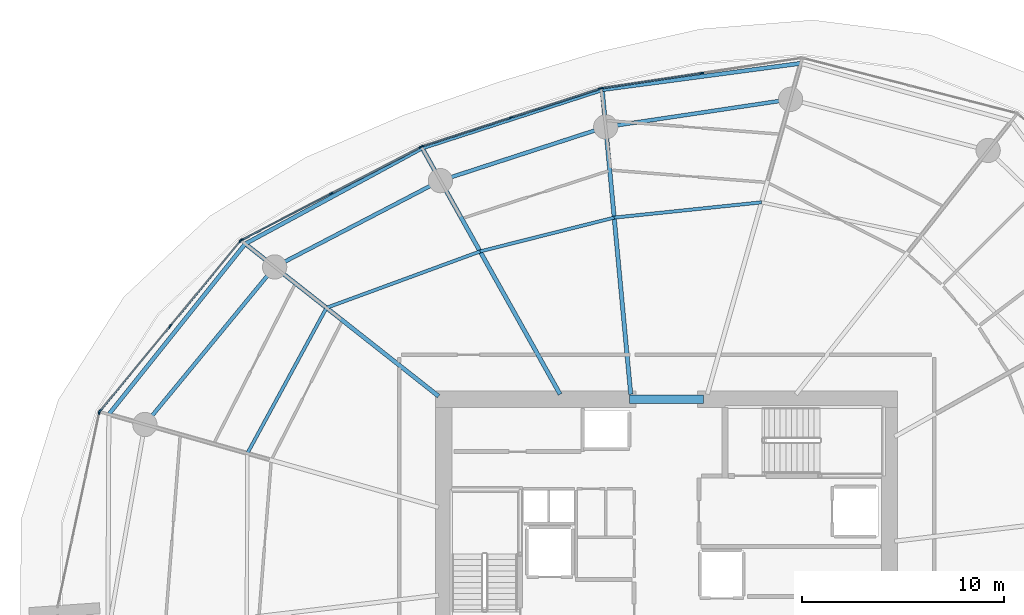
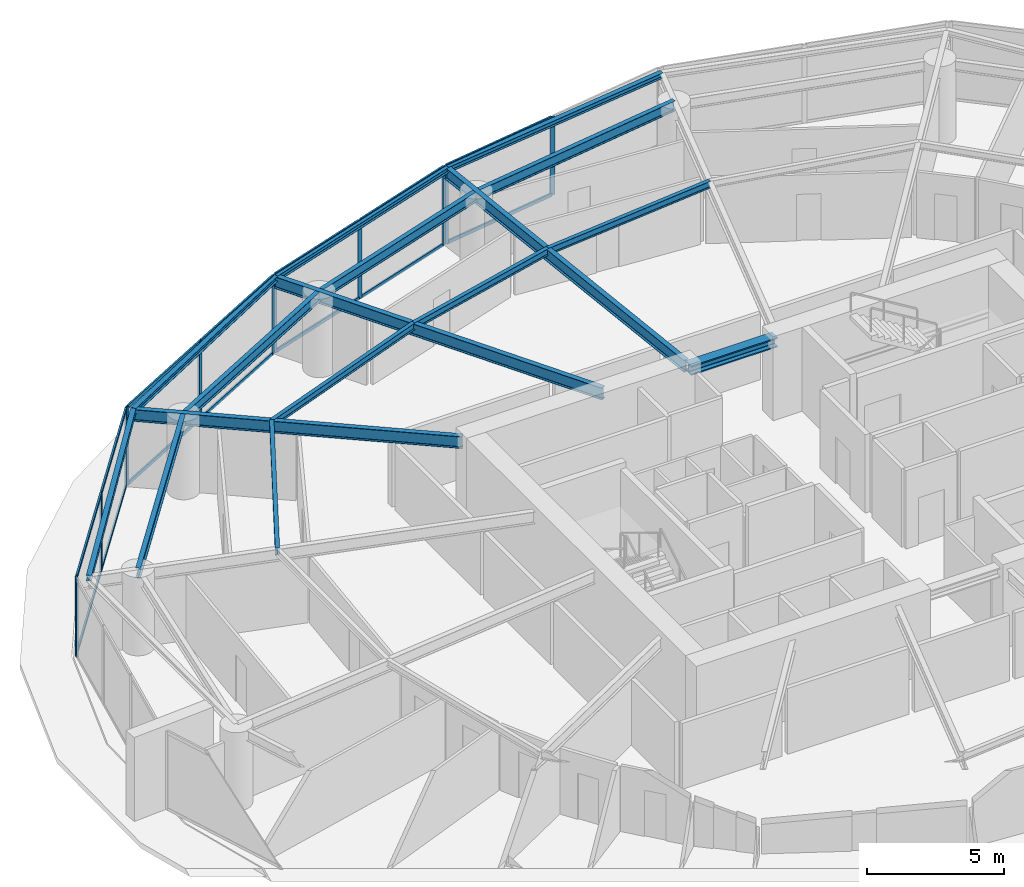
# One storey, part 9 of 17: 26 members, 16 beams, 5 elements without a shape of their own.
"""IFC4 building model written with IfcOpenShell, lengths in metres."""

from ifc_helpers import new_model, si_unit, direction, frame, origin, origin_2d, place, context, subcontext, project, spatial, rectangle, i_section, extrude, material, layer, layer_set, material_profile, profile_set, type_object, element, aggregate, save


model = new_model("IFC4")

# Units and contexts
model_context = context("Model", 3, precision=1e-05, world=origin(), true_north=direction((0.0, 1.0)))
body_context = subcontext(model_context, "Body", "Model", "MODEL_VIEW")
ifc_project = project(units=[si_unit("LENGTHUNIT", "METRE"), si_unit("AREAUNIT", "SQUARE_METRE"), si_unit("VOLUMEUNIT", "CUBIC_METRE"), si_unit("PLANEANGLEUNIT", "RADIAN"), si_unit("MASSUNIT", "GRAM", prefix="KILO")], contexts=[model_context])

# Site, building, storey
site_placement = place(None, origin())
site = spatial("IfcSite", under=ifc_project, at=site_placement, CompositionType="ELEMENT")
building_placement = place(site_placement, origin())
building = spatial("IfcBuilding", under=site, at=building_placement, Name="Kazma Halo Residences", CompositionType="ELEMENT")
storey_placement = place(building_placement, frame((0.0, 0.0, 75.14990234375)))
storey = spatial("IfcBuildingStorey", under=building, at=storey_placement, Name="L18", CompositionType="ELEMENT", Elevation=75.14990234375)

# Beams
ifc_material_1 = material(Name="Steel S355", Category="steel")
ifc_material_profile_1 = material_profile(ifc_material_1, i_section(OverallWidth=0.201904296875, OverallDepth=0.2470703125, WebThickness=0.00732421875, FlangeThickness=0.010986328125, FilletRadius=0.011962890625, at=origin_2d()), Name="W250x49.1")
ifc_profile_set_1 = profile_set([ifc_material_profile_1], Name="Steel S355")
beam_type_1 = type_object("IfcBeamType", Name="BM-BAL-CANT", PredefinedType="BEAM", material=ifc_profile_set_1)
beam_1_placement = place(storey_placement, frame((55.054931640625, 67.0146484375, 3.376708984375), z_axis=(-0.991294955884, -0.131659828494, 0.0), x_axis=(0.131659828494, -0.991294955884, 0.0)))
element("IfcBeam", 1, at=beam_1_placement, inside=storey, type_object=beam_type_1, Name="L18 wave-balcony tie beam 03", PredefinedType="BEAM", context=body_context, shape_type="SweptSolid", body=[
    extrude(i_section(OverallWidth=0.201904296875, OverallDepth=0.2470703125, WebThickness=0.00732421875, FlangeThickness=0.010986328125, FilletRadius=0.011962890625, at=origin_2d()), origin(), (0.0, 0.0, 1.0), 9.902099609375),
])
beam_2_placement = place(storey_placement, frame((45.239013671875, 65.7109375, 3.376708984375), z_axis=(-0.951364037255, -0.308068934846, 0.0), x_axis=(0.308068934846, -0.951364037255, 0.0)))
element("IfcBeam", 2, at=beam_2_placement, inside=storey, type_object=beam_type_1, Name="L18 wave-balcony tie beam 04", PredefinedType="BEAM", context=body_context, shape_type="SweptSolid", body=[
    extrude(i_section(OverallWidth=0.201904296875, OverallDepth=0.2470703125, WebThickness=0.00732421875, FlangeThickness=0.010986328125, FilletRadius=0.011962890625, at=origin_2d()), origin(), (0.0, 0.0, 1.0), 9.3583984375),
])
beam_3_placement = place(storey_placement, frame((36.335693359375, 62.827880859375, 3.376708984375), z_axis=(-0.87930438671, -0.476260218276, 0.0), x_axis=(0.476260218276, -0.87930438671, 0.0)))
element("IfcBeam", 3, at=beam_3_placement, inside=storey, type_object=beam_type_1, Name="L18 wave-balcony tie beam 05", PredefinedType="BEAM", context=body_context, shape_type="SweptSolid", body=[
    extrude(i_section(OverallWidth=0.201904296875, OverallDepth=0.2470703125, WebThickness=0.00732421875, FlangeThickness=0.010986328125, FilletRadius=0.011962890625, at=origin_2d()), origin(), (0.0, 0.0, 1.0), 9.94677734375),
])
beam_4_placement = place(storey_placement, frame((27.58935546875, 58.090576171875, 3.376708984375), z_axis=(-0.62477775999, -0.78080263231, 0.0), x_axis=(0.78080263231, -0.62477775999, 0.0)))
element("IfcBeam", 4, at=beam_4_placement, inside=storey, type_object=beam_type_1, Name="L18 wave-balcony tie beam 06", PredefinedType="BEAM", context=body_context, shape_type="SweptSolid", body=[
    extrude(i_section(OverallWidth=0.201904296875, OverallDepth=0.2470703125, WebThickness=0.00732421875, FlangeThickness=0.010986328125, FilletRadius=0.011962890625, at=origin_2d()), origin(), (0.0, 0.0, 1.0), 10.79833984375),
])
ifc_material_profile_2 = material_profile(ifc_material_1, i_section(OverallWidth=0.408935546875, OverallDepth=0.425048828125, WebThickness=0.03271484375, FlangeThickness=0.052490234375, FilletRadius=0.02001953125, at=origin_2d()), Name="W360x421")
ifc_profile_set_2 = profile_set([ifc_material_profile_2], Name="Steel S355")
beam_type_2 = type_object("IfcBeamType", Name="BM-CORE-W360H", PredefinedType="BEAM", material=ifc_profile_set_2)
beam_5_placement = place(storey_placement, frame((46.60009765625, 50.39990234375, 3.28759765625), z_axis=(1.0, 0.0, 0.0), x_axis=(0.0, 1.0, 0.0)))
element("IfcBeam", 5, at=beam_5_placement, inside=storey, type_object=beam_type_2, Name="L18 core coupling beam N", PredefinedType="BEAM", context=body_context, shape_type="SweptSolid", body=[
    extrude(i_section(OverallWidth=0.408935546875, OverallDepth=0.425048828125, WebThickness=0.03271484375, FlangeThickness=0.052490234375, FilletRadius=0.02001953125, at=origin_2d()), origin(), (0.0, 0.0, 1.0), 3.64990234375),
])
ifc_material_profile_3 = material_profile(ifc_material_1, i_section(OverallWidth=0.208984375, OverallDepth=0.532958984375, WebThickness=0.01025390625, FlangeThickness=0.015625, FilletRadius=0.01611328125, at=origin_2d()), Name="W530x92")
ifc_profile_set_3 = profile_set([ifc_material_profile_3], Name="Steel S355")
beam_type_3 = type_object("IfcBeamType", Name="BM-RAD-W530", PredefinedType="BEAM", material=ifc_profile_set_3)
beam_6_placement = place(storey_placement, frame((46.64990234375, 50.64990234375, 3.233642578125), z_axis=(-0.093269713752, 0.995640879282, 0.0), x_axis=(-0.995640879282, -0.093269713752, 0.0)))
element("IfcBeam", 6, at=beam_6_placement, inside=storey, type_object=beam_type_3, Name="L18 radial floor beam 04", PredefinedType="BEAM", context=body_context, shape_type="SweptSolid", body=[
    extrude(i_section(OverallWidth=0.208984375, OverallDepth=0.532958984375, WebThickness=0.01025390625, FlangeThickness=0.015625, FilletRadius=0.01611328125, at=origin_2d()), origin(), (0.0, 0.0, 1.0), 15.126953125),
])
beam_7_placement = place(storey_placement, frame((43.15576171875, 50.64990234375, 3.233642578125), z_axis=(-0.488625206529, 0.872493786536, 0.0), x_axis=(-0.872493786536, -0.488625206529, 0.0)))
element("IfcBeam", 7, at=beam_7_placement, inside=storey, type_object=beam_type_3, Name="L18 radial floor beam 05", PredefinedType="BEAM", context=body_context, shape_type="SweptSolid", body=[
    extrude(i_section(OverallWidth=0.208984375, OverallDepth=0.532958984375, WebThickness=0.01025390625, FlangeThickness=0.015625, FilletRadius=0.01611328125, at=origin_2d()), origin(), (0.0, 0.0, 1.0), 13.957763671875),
])
beam_8_placement = place(storey_placement, frame((37.14990234375, 50.553466796875, 3.233642578125), z_axis=(-0.785309664997, 0.619103165929, 0.0), x_axis=(-0.619103165929, -0.785309664997, 0.0)))
element("IfcBeam", 8, at=beam_8_placement, inside=storey, type_object=beam_type_3, Name="L18 radial floor beam 06", PredefinedType="BEAM", context=body_context, shape_type="SweptSolid", body=[
    extrude(i_section(OverallWidth=0.208984375, OverallDepth=0.532958984375, WebThickness=0.01025390625, FlangeThickness=0.015625, FilletRadius=0.01611328125, at=origin_2d()), origin(), (0.0, 0.0, 1.0), 12.17431640625),
])
ifc_material_profile_4 = material_profile(ifc_material_1, i_section(OverallWidth=0.1650390625, OverallDepth=0.31005859375, WebThickness=0.005859375, FlangeThickness=0.009765625, FilletRadius=0.011962890625, at=origin_2d()), Name="W310x38.7")
ifc_profile_set_4 = profile_set([ifc_material_profile_4], Name="Steel S355")
beam_type_4 = type_object("IfcBeamType", Name="BM-SEC-W310B", PredefinedType="JOIST", material=ifc_profile_set_4)
beam_9_placement = place(storey_placement, frame((53.116455078125, 60.1416015625, 3.34521484375), z_axis=(-0.994656912508, -0.103235780624, 0.0), x_axis=(0.103235780624, -0.994656912508, 0.0)))
element("IfcBeam", 9, at=beam_9_placement, inside=storey, type_object=beam_type_4, Name="L18 circumferential floor joist 03", PredefinedType="JOIST", context=body_context, shape_type="SweptSolid", body=[
    extrude(i_section(OverallWidth=0.1650390625, OverallDepth=0.31005859375, WebThickness=0.005859375, FlangeThickness=0.009765625, FilletRadius=0.011962890625, at=origin_2d()), origin(), (0.0, 0.0, 1.0), 7.323974609375),
])
beam_10_placement = place(storey_placement, frame((45.83154296875, 59.385498046875, 3.34521484375), z_axis=(-0.969640662449, -0.244534221993, 0.0), x_axis=(0.244534221993, -0.969640662449, 0.0)))
element("IfcBeam", 10, at=beam_10_placement, inside=storey, type_object=beam_type_4, Name="L18 circumferential floor joist 04", PredefinedType="JOIST", context=body_context, shape_type="SweptSolid", body=[
    extrude(i_section(OverallWidth=0.1650390625, OverallDepth=0.31005859375, WebThickness=0.005859375, FlangeThickness=0.009765625, FilletRadius=0.011962890625, at=origin_2d()), origin(), (0.0, 0.0, 1.0), 6.8388671875),
])
beam_11_placement = place(storey_placement, frame((39.2001953125, 57.713134765625, 3.34521484375), z_axis=(-0.93875304644, -0.344590652513, 0.0), x_axis=(0.344590652513, -0.93875304644, 0.0)))
element("IfcBeam", 11, at=beam_11_placement, inside=storey, type_object=beam_type_4, Name="L18 circumferential floor joist 05", PredefinedType="JOIST", context=body_context, shape_type="SweptSolid", body=[
    extrude(i_section(OverallWidth=0.1650390625, OverallDepth=0.31005859375, WebThickness=0.005859375, FlangeThickness=0.009765625, FilletRadius=0.011962890625, at=origin_2d()), origin(), (0.0, 0.0, 1.0), 8.091064453125),
])
beam_12_placement = place(storey_placement, frame((31.604736328125, 54.925048828125, 3.34521484375), z_axis=(-0.477621844446, -0.878565520441, 0.0), x_axis=(0.878565520441, -0.477621844446, 0.0)))
element("IfcBeam", 12, at=beam_12_placement, inside=storey, type_object=beam_type_4, Name="L18 circumferential floor joist 06", PredefinedType="JOIST", context=body_context, shape_type="SweptSolid", body=[
    extrude(i_section(OverallWidth=0.1650390625, OverallDepth=0.31005859375, WebThickness=0.005859375, FlangeThickness=0.009765625, FilletRadius=0.011962890625, at=origin_2d()), origin(), (0.0, 0.0, 1.0), 8.1923828125),
])
ifc_material_profile_5 = material_profile(ifc_material_1, i_section(OverallWidth=0.18994140625, OverallDepth=0.45703125, WebThickness=0.009033203125, FlangeThickness=0.014404296875, FilletRadius=0.01611328125, at=origin_2d()), Name="W460x74")
ifc_profile_set_5 = profile_set([ifc_material_profile_5], Name="Steel S355")
beam_type_5 = type_object("IfcBeamType", Name="BM-SPN-W460", PredefinedType="BEAM", material=ifc_profile_set_5)
beam_13_placement = place(storey_placement, frame((54.552734375, 65.234130859375, 3.271484375), z_axis=(-0.989034176303, -0.147686824414, 0.0), x_axis=(0.147686824414, -0.989034176303, 0.0)))
element("IfcBeam", 13, at=beam_13_placement, inside=storey, type_object=beam_type_5, Name="L18 perimeter ring beam 03", PredefinedType="BEAM", context=body_context, shape_type="SweptSolid", body=[
    extrude(i_section(OverallWidth=0.18994140625, OverallDepth=0.45703125, WebThickness=0.009033203125, FlangeThickness=0.014404296875, FilletRadius=0.01611328125, at=origin_2d()), origin(), (0.0, 0.0, 1.0), 9.242431640625),
])
beam_14_placement = place(storey_placement, frame((45.41162109375, 63.869140625, 3.271484375), z_axis=(-0.951054111927, -0.30902439416, 0.0), x_axis=(0.30902439416, -0.951054111927, 0.0)))
element("IfcBeam", 14, at=beam_14_placement, inside=storey, type_object=beam_type_5, Name="L18 perimeter ring beam 04", PredefinedType="BEAM", context=body_context, shape_type="SweptSolid", body=[
    extrude(i_section(OverallWidth=0.18994140625, OverallDepth=0.45703125, WebThickness=0.009033203125, FlangeThickness=0.014404296875, FilletRadius=0.01611328125, at=origin_2d()), origin(), (0.0, 0.0, 1.0), 8.592529296875),
])
beam_15_placement = place(storey_placement, frame((37.23974609375, 61.2138671875, 3.271484375), z_axis=(-0.886963229644, -0.461840047266, 0.0), x_axis=(0.461840047266, -0.886963229644, 0.0)))
element("IfcBeam", 15, at=beam_15_placement, inside=storey, type_object=beam_type_5, Name="L18 perimeter ring beam 05", PredefinedType="BEAM", context=body_context, shape_type="SweptSolid", body=[
    extrude(i_section(OverallWidth=0.18994140625, OverallDepth=0.45703125, WebThickness=0.009033203125, FlangeThickness=0.014404296875, FilletRadius=0.01611328125, at=origin_2d()), origin(), (0.0, 0.0, 1.0), 9.242431640625),
])
beam_16_placement = place(storey_placement, frame((29.0419921875, 56.9453125, 3.271484375), z_axis=(-0.635989564566, -0.771697656963, 0.0), x_axis=(0.771697656963, -0.635989564566, 0.0)))
element("IfcBeam", 16, at=beam_16_placement, inside=storey, type_object=beam_type_5, Name="L18 perimeter ring beam 06", PredefinedType="BEAM", context=body_context, shape_type="SweptSolid", body=[
    extrude(i_section(OverallWidth=0.18994140625, OverallDepth=0.45703125, WebThickness=0.009033203125, FlangeThickness=0.014404296875, FilletRadius=0.01611328125, at=origin_2d()), origin(), (0.0, 0.0, 1.0), 10.092529296875),
])

# Curtain wall, members
ifc_material_2 = material(Name="Aluminium AW-6063 T6 and Triple-Silver Low-E Glass", Category="aluminium")
ifc_layer = layer(ifc_material_2, 0.199951171875)
ifc_layer_set = layer_set([ifc_layer], Name="Aluminium AW-6063 T6 and Triple-Silver Low-E Glass")
curtain_wall_type = type_object("IfcCurtainWallType", Name="CW-SYS-3", PredefinedType="NOTDEFINED", material=ifc_layer_set)
curtain_wall_1_placement = place(storey_placement, origin())
curtain_wall_1 = element("IfcCurtainWall", 17, at=curtain_wall_1_placement, inside=storey, type_object=curtain_wall_type, Name="L18 unitised curtain wall B03", PredefinedType="NOTDEFINED")
ifc_material_3 = material(Name="Aluminium AW-6063 T6", Category="aluminium")
ifc_material_profile_6 = material_profile(ifc_material_3, rectangle(XDim=0.070068359375, YDim=0.199951171875, at=origin_2d()), Name="CWM-70x200")
ifc_profile_set_6 = profile_set([ifc_material_profile_6], Name="Aluminium AW-6063 T6")
member_type_1 = type_object("IfcMemberType", Name="CW-SYS-3-MUL", PredefinedType="MULLION", material=ifc_profile_set_6)
member_1_placement = place(storey_placement, frame((50.156982421875, 66.529296875, 0.0), z_axis=(0.0, 0.0, 1.0), x_axis=(0.148717330409, -0.988879747814, 0.0)))
member_1 = element("IfcMember", 18, at=member_1_placement, type_object=member_type_1, Name="CWS-3 mullion 2", PredefinedType="MULLION", context=body_context, shape_type="SweptSolid", body=[
    extrude(rectangle(XDim=0.070068359375, YDim=0.199951171875, at=origin_2d()), origin(), (0.0, 0.0, 1.0), 3.5),
])
member_2_placement = place(storey_placement, frame((45.219970703125, 65.78662109375, 0.0), z_axis=(0.0, 0.0, 1.0), x_axis=(0.148717330409, -0.988879747814, 0.0)))
member_2 = element("IfcMember", 19, at=member_2_placement, type_object=member_type_1, Name="CWS-3 mullion 3", PredefinedType="MULLION", context=body_context, shape_type="SweptSolid", body=[
    extrude(rectangle(XDim=0.070068359375, YDim=0.199951171875, at=origin_2d()), origin(), (0.0, 0.0, 1.0), 3.5),
])

curtain_wall_2_placement = place(storey_placement, origin())
curtain_wall_2 = element("IfcCurtainWall", 20, at=curtain_wall_2_placement, inside=storey, type_object=curtain_wall_type, Name="L18 unitised curtain wall B04", PredefinedType="NOTDEFINED")
member_3_placement = place(storey_placement, frame((45.152099609375, 65.770751953125, 0.0), z_axis=(0.0, 0.0, 1.0), x_axis=(0.309017102734, -0.951056481087, 0.0)))
member_3 = element("IfcMember", 21, at=member_3_placement, type_object=member_type_1, Name="CWS-3 mullion 1", PredefinedType="MULLION", context=body_context, shape_type="SweptSolid", body=[
    extrude(rectangle(XDim=0.070068359375, YDim=0.199951171875, at=origin_2d()), origin(), (0.0, 0.0, 1.0), 3.5),
])
member_4_placement = place(storey_placement, frame((40.741943359375, 64.337890625, 0.0), z_axis=(0.0, 0.0, 1.0), x_axis=(0.309017102734, -0.951056481087, 0.0)))
member_4 = element("IfcMember", 22, at=member_4_placement, type_object=member_type_1, Name="CWS-3 mullion 2", PredefinedType="MULLION", context=body_context, shape_type="SweptSolid", body=[
    extrude(rectangle(XDim=0.070068359375, YDim=0.199951171875, at=origin_2d()), origin(), (0.0, 0.0, 1.0), 3.5),
])
member_5_placement = place(storey_placement, frame((36.33203125, 62.905029296875, 0.0), z_axis=(0.0, 0.0, 1.0), x_axis=(0.309017102734, -0.951056481087, 0.0)))
member_5 = element("IfcMember", 23, at=member_5_placement, type_object=member_type_1, Name="CWS-3 mullion 3", PredefinedType="MULLION", context=body_context, shape_type="SweptSolid", body=[
    extrude(rectangle(XDim=0.070068359375, YDim=0.199951171875, at=origin_2d()), origin(), (0.0, 0.0, 1.0), 3.5),
])

curtain_wall_3_placement = place(storey_placement, origin())
curtain_wall_3 = element("IfcCurtainWall", 24, at=curtain_wall_3_placement, inside=storey, type_object=curtain_wall_type, Name="L18 unitised curtain wall B05", PredefinedType="NOTDEFINED")
member_6_placement = place(storey_placement, frame((36.267822265625, 62.8779296875, 0.0), z_axis=(0.0, 0.0, 1.0), x_axis=(0.460932159481, -0.887435374749, 0.0)))
member_6 = element("IfcMember", 25, at=member_6_placement, type_object=member_type_1, Name="CWS-3 mullion 1", PredefinedType="MULLION", context=body_context, shape_type="SweptSolid", body=[
    extrude(rectangle(XDim=0.070068359375, YDim=0.199951171875, at=origin_2d()), origin(), (0.0, 0.0, 1.0), 3.5),
])
member_7_placement = place(storey_placement, frame((31.8369140625, 60.57666015625, 0.0), z_axis=(0.0, 0.0, 1.0), x_axis=(0.460932159481, -0.887435374749, 0.0)))
member_7 = element("IfcMember", 26, at=member_7_placement, type_object=member_type_1, Name="CWS-3 mullion 2", PredefinedType="MULLION", context=body_context, shape_type="SweptSolid", body=[
    extrude(rectangle(XDim=0.070068359375, YDim=0.199951171875, at=origin_2d()), origin(), (0.0, 0.0, 1.0), 3.5),
])
member_8_placement = place(storey_placement, frame((27.40625, 58.275390625, 0.0), z_axis=(0.0, 0.0, 1.0), x_axis=(0.460932159481, -0.887435374749, 0.0)))
member_8 = element("IfcMember", 27, at=member_8_placement, type_object=member_type_1, Name="CWS-3 mullion 3", PredefinedType="MULLION", context=body_context, shape_type="SweptSolid", body=[
    extrude(rectangle(XDim=0.070068359375, YDim=0.199951171875, at=origin_2d()), origin(), (0.0, 0.0, 1.0), 3.5),
])

curtain_wall_4_placement = place(storey_placement, origin())
curtain_wall_4 = element("IfcCurtainWall", 28, at=curtain_wall_4_placement, inside=storey, type_object=curtain_wall_type, Name="L18 unitised curtain wall B06", PredefinedType="NOTDEFINED")
member_9_placement = place(storey_placement, frame((27.35302734375, 58.232177734375, 0.0), z_axis=(0.0, 0.0, 1.0), x_axis=(0.771094672829, -0.636720508179, 0.0)))
member_9 = element("IfcMember", 29, at=member_9_placement, type_object=member_type_1, Name="CWS-3 mullion 1", PredefinedType="MULLION", context=body_context, shape_type="SweptSolid", body=[
    extrude(rectangle(XDim=0.070068359375, YDim=0.199951171875, at=origin_2d()), origin(), (0.0, 0.0, 1.0), 3.5),
])
member_10_placement = place(storey_placement, frame((23.878173828125, 54.024169921875, 0.0), z_axis=(0.0, 0.0, 1.0), x_axis=(0.771094672829, -0.636720508179, 0.0)))
member_10 = element("IfcMember", 30, at=member_10_placement, type_object=member_type_1, Name="CWS-3 mullion 2", PredefinedType="MULLION", context=body_context, shape_type="SweptSolid", body=[
    extrude(rectangle(XDim=0.070068359375, YDim=0.199951171875, at=origin_2d()), origin(), (0.0, 0.0, 1.0), 3.5),
])
member_11_placement = place(storey_placement, frame((20.403564453125, 49.81640625, 0.0), z_axis=(0.0, 0.0, 1.0), x_axis=(0.771094672829, -0.636720508179, 0.0)))
member_11 = element("IfcMember", 31, at=member_11_placement, type_object=member_type_1, Name="CWS-3 mullion 3", PredefinedType="MULLION", context=body_context, shape_type="SweptSolid", body=[
    extrude(rectangle(XDim=0.070068359375, YDim=0.199951171875, at=origin_2d()), origin(), (0.0, 0.0, 1.0), 3.5),
])

# Curtain wall, member
curtain_wall_5_placement = place(storey_placement, origin())
curtain_wall_5 = element("IfcCurtainWall", 32, at=curtain_wall_5_placement, inside=storey, type_object=curtain_wall_type, Name="L18 unitised curtain wall B07", PredefinedType="NOTDEFINED")
member_12_placement = place(storey_placement, frame((20.3740234375, 49.755126953125, 0.0), z_axis=(0.0, 0.0, 1.0), x_axis=(0.977774176093, -0.209660822677, 0.0)))
member_12 = element("IfcMember", 33, at=member_12_placement, type_object=member_type_1, Name="CWS-3 mullion 1", PredefinedType="MULLION", context=body_context, shape_type="SweptSolid", body=[
    extrude(rectangle(XDim=0.070068359375, YDim=0.199951171875, at=origin_2d()), origin(), (0.0, 0.0, 1.0), 3.5),
])
aggregate(curtain_wall_5, [member_12])

# Member
ifc_material_profile_7 = material_profile(ifc_material_3, rectangle(XDim=0.070068359375, YDim=0.14990234375, at=origin_2d()), Name="CWT-70x150")
ifc_profile_set_7 = profile_set([ifc_material_profile_7], Name="Aluminium AW-6063 T6")
member_type_2 = type_object("IfcMemberType", Name="CW-SYS-3-TRN", PredefinedType="USERDEFINED", material=ifc_profile_set_7)
member_13_placement = place(storey_placement, frame((50.12255859375, 66.52392578125, 0.03515625), z_axis=(-0.988884271372, -0.148687248386, 0.0), x_axis=(0.148687248386, -0.988884271372, 0.0)))
member_13 = element("IfcMember", 34, at=member_13_placement, type_object=member_type_2, Name="CWS-3 transom 2.1", ObjectType="TRANSOM", PredefinedType="USERDEFINED", context=body_context, shape_type="SweptSolid", body=[
    extrude(rectangle(XDim=0.070068359375, YDim=0.14990234375, at=origin_2d()), origin(), (0.0, 0.0, 1.0), 4.922607421875),
])

member_14_placement = place(storey_placement, frame((50.12255859375, 66.52392578125, 3.465087890625), z_axis=(-0.988884271372, -0.148687248386, 0.0), x_axis=(0.148687248386, -0.988884271372, 0.0)))
member_14 = element("IfcMember", 35, at=member_14_placement, type_object=member_type_2, Name="CWS-3 transom 2.2", ObjectType="TRANSOM", PredefinedType="USERDEFINED", context=body_context, shape_type="SweptSolid", body=[
    extrude(rectangle(XDim=0.070068359375, YDim=0.14990234375, at=origin_2d()), origin(), (0.0, 0.0, 1.0), 4.922607421875),
])

aggregate(curtain_wall_1, [member_1, member_2, member_13, member_14])

member_15_placement = place(storey_placement, frame((45.11865234375, 65.759765625, 0.03515625), z_axis=(-0.951061565824, -0.30900145309, 0.0), x_axis=(0.30900145309, -0.951061565824, 0.0)))
member_15 = element("IfcMember", 36, at=member_15_placement, type_object=member_type_2, Name="CWS-3 transom 1.1", ObjectType="TRANSOM", PredefinedType="USERDEFINED", context=body_context, shape_type="SweptSolid", body=[
    extrude(rectangle(XDim=0.070068359375, YDim=0.14990234375, at=origin_2d()), origin(), (0.0, 0.0, 1.0), 4.566650390625),
])

member_16_placement = place(storey_placement, frame((45.11865234375, 65.759765625, 3.465087890625), z_axis=(-0.951061565824, -0.30900145309, 0.0), x_axis=(0.30900145309, -0.951061565824, 0.0)))
member_16 = element("IfcMember", 37, at=member_16_placement, type_object=member_type_2, Name="CWS-3 transom 1.2", ObjectType="TRANSOM", PredefinedType="USERDEFINED", context=body_context, shape_type="SweptSolid", body=[
    extrude(rectangle(XDim=0.070068359375, YDim=0.14990234375, at=origin_2d()), origin(), (0.0, 0.0, 1.0), 4.566650390625),
])

member_17_placement = place(storey_placement, frame((40.708740234375, 64.326904296875, 0.03515625), z_axis=(-0.951061565824, -0.30900145309, 0.0), x_axis=(0.30900145309, -0.951061565824, 0.0)))
member_17 = element("IfcMember", 38, at=member_17_placement, type_object=member_type_2, Name="CWS-3 transom 2.1", ObjectType="TRANSOM", PredefinedType="USERDEFINED", context=body_context, shape_type="SweptSolid", body=[
    extrude(rectangle(XDim=0.070068359375, YDim=0.14990234375, at=origin_2d()), origin(), (0.0, 0.0, 1.0), 4.566650390625),
])

member_18_placement = place(storey_placement, frame((40.708740234375, 64.326904296875, 3.465087890625), z_axis=(-0.951061565824, -0.30900145309, 0.0), x_axis=(0.30900145309, -0.951061565824, 0.0)))
member_18 = element("IfcMember", 39, at=member_18_placement, type_object=member_type_2, Name="CWS-3 transom 2.2", ObjectType="TRANSOM", PredefinedType="USERDEFINED", context=body_context, shape_type="SweptSolid", body=[
    extrude(rectangle(XDim=0.070068359375, YDim=0.14990234375, at=origin_2d()), origin(), (0.0, 0.0, 1.0), 4.566650390625),
])

aggregate(curtain_wall_2, [member_3, member_4, member_5, member_15, member_16, member_17, member_18])

member_19_placement = place(storey_placement, frame((36.236572265625, 62.86181640625, 0.03515625), z_axis=(-0.887427024944, -0.460948235054, 0.0), x_axis=(0.460948235054, -0.887427024944, 0.0)))
member_19 = element("IfcMember", 40, at=member_19_placement, type_object=member_type_2, Name="CWS-3 transom 1.1", ObjectType="TRANSOM", PredefinedType="USERDEFINED", context=body_context, shape_type="SweptSolid", body=[
    extrude(rectangle(XDim=0.070068359375, YDim=0.14990234375, at=origin_2d()), origin(), (0.0, 0.0, 1.0), 4.922607421875),
])

member_20_placement = place(storey_placement, frame((36.236572265625, 62.86181640625, 3.465087890625), z_axis=(-0.887427024944, -0.460948235054, 0.0), x_axis=(0.460948235054, -0.887427024944, 0.0)))
member_20 = element("IfcMember", 41, at=member_20_placement, type_object=member_type_2, Name="CWS-3 transom 1.2", ObjectType="TRANSOM", PredefinedType="USERDEFINED", context=body_context, shape_type="SweptSolid", body=[
    extrude(rectangle(XDim=0.070068359375, YDim=0.14990234375, at=origin_2d()), origin(), (0.0, 0.0, 1.0), 4.922607421875),
])

member_21_placement = place(storey_placement, frame((31.805908203125, 60.560546875, 0.03515625), z_axis=(-0.887437562141, -0.460927948058, 0.0), x_axis=(0.460927948058, -0.887437562141, 0.0)))
member_21 = element("IfcMember", 42, at=member_21_placement, type_object=member_type_2, Name="CWS-3 transom 2.1", ObjectType="TRANSOM", PredefinedType="USERDEFINED", context=body_context, shape_type="SweptSolid", body=[
    extrude(rectangle(XDim=0.070068359375, YDim=0.14990234375, at=origin_2d()), origin(), (0.0, 0.0, 1.0), 4.9228515625),
])

member_22_placement = place(storey_placement, frame((31.805908203125, 60.560546875, 3.465087890625), z_axis=(-0.887437562141, -0.460927948058, 0.0), x_axis=(0.460927948058, -0.887437562141, 0.0)))
member_22 = element("IfcMember", 43, at=member_22_placement, type_object=member_type_2, Name="CWS-3 transom 2.2", ObjectType="TRANSOM", PredefinedType="USERDEFINED", context=body_context, shape_type="SweptSolid", body=[
    extrude(rectangle(XDim=0.070068359375, YDim=0.14990234375, at=origin_2d()), origin(), (0.0, 0.0, 1.0), 4.9228515625),
])

aggregate(curtain_wall_3, [member_6, member_7, member_8, member_19, member_20, member_21, member_22])

member_23_placement = place(storey_placement, frame((27.33056640625, 58.205322265625, 0.03515625), z_axis=(-0.63669638172, -0.771114594275, 0.0), x_axis=(0.771114594275, -0.63669638172, 0.0)))
member_23 = element("IfcMember", 44, at=member_23_placement, type_object=member_type_2, Name="CWS-3 transom 1.1", ObjectType="TRANSOM", PredefinedType="USERDEFINED", context=body_context, shape_type="SweptSolid", body=[
    extrude(rectangle(XDim=0.070068359375, YDim=0.14990234375, at=origin_2d()), origin(), (0.0, 0.0, 1.0), 5.386962890625),
])

member_24_placement = place(storey_placement, frame((27.33056640625, 58.205322265625, 3.465087890625), z_axis=(-0.63669638172, -0.771114594275, 0.0), x_axis=(0.771114594275, -0.63669638172, 0.0)))
member_24 = element("IfcMember", 45, at=member_24_placement, type_object=member_type_2, Name="CWS-3 transom 1.2", ObjectType="TRANSOM", PredefinedType="USERDEFINED", context=body_context, shape_type="SweptSolid", body=[
    extrude(rectangle(XDim=0.070068359375, YDim=0.14990234375, at=origin_2d()), origin(), (0.0, 0.0, 1.0), 5.386962890625),
])

member_25_placement = place(storey_placement, frame((23.85595703125, 53.997314453125, 0.03515625), z_axis=(-0.636723328447, -0.771092344023, 0.0), x_axis=(0.771092344023, -0.636723328447, 0.0)))
member_25 = element("IfcMember", 46, at=member_25_placement, type_object=member_type_2, Name="CWS-3 transom 2.1", ObjectType="TRANSOM", PredefinedType="USERDEFINED", context=body_context, shape_type="SweptSolid", body=[
    extrude(rectangle(XDim=0.070068359375, YDim=0.14990234375, at=origin_2d()), origin(), (0.0, 0.0, 1.0), 5.38720703125),
])

member_26_placement = place(storey_placement, frame((23.85595703125, 53.997314453125, 3.465087890625), z_axis=(-0.636723328447, -0.771092344023, 0.0), x_axis=(0.771092344023, -0.636723328447, 0.0)))
member_26 = element("IfcMember", 47, at=member_26_placement, type_object=member_type_2, Name="CWS-3 transom 2.2", ObjectType="TRANSOM", PredefinedType="USERDEFINED", context=body_context, shape_type="SweptSolid", body=[
    extrude(rectangle(XDim=0.070068359375, YDim=0.14990234375, at=origin_2d()), origin(), (0.0, 0.0, 1.0), 5.38720703125),
])

aggregate(curtain_wall_4, [member_9, member_10, member_11, member_23, member_24, member_25, member_26])

save(model, "model.ifc")
